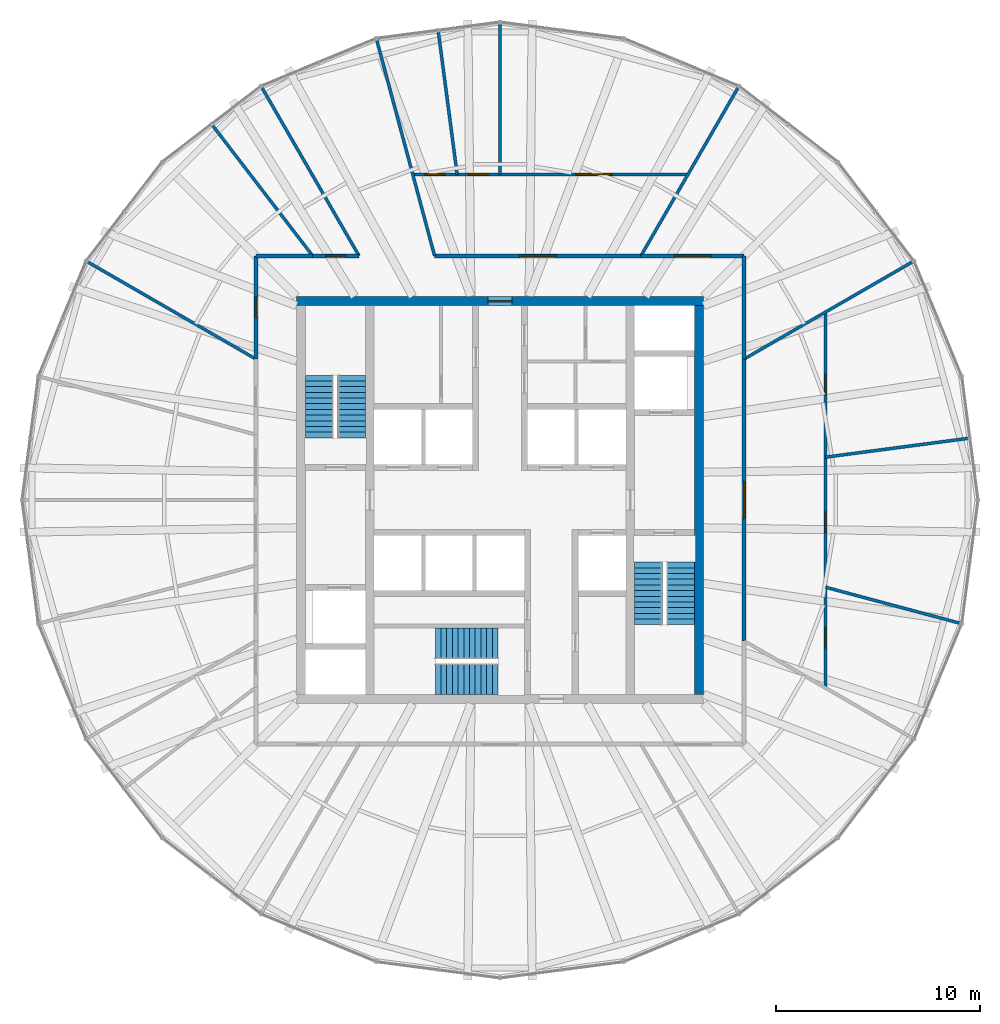
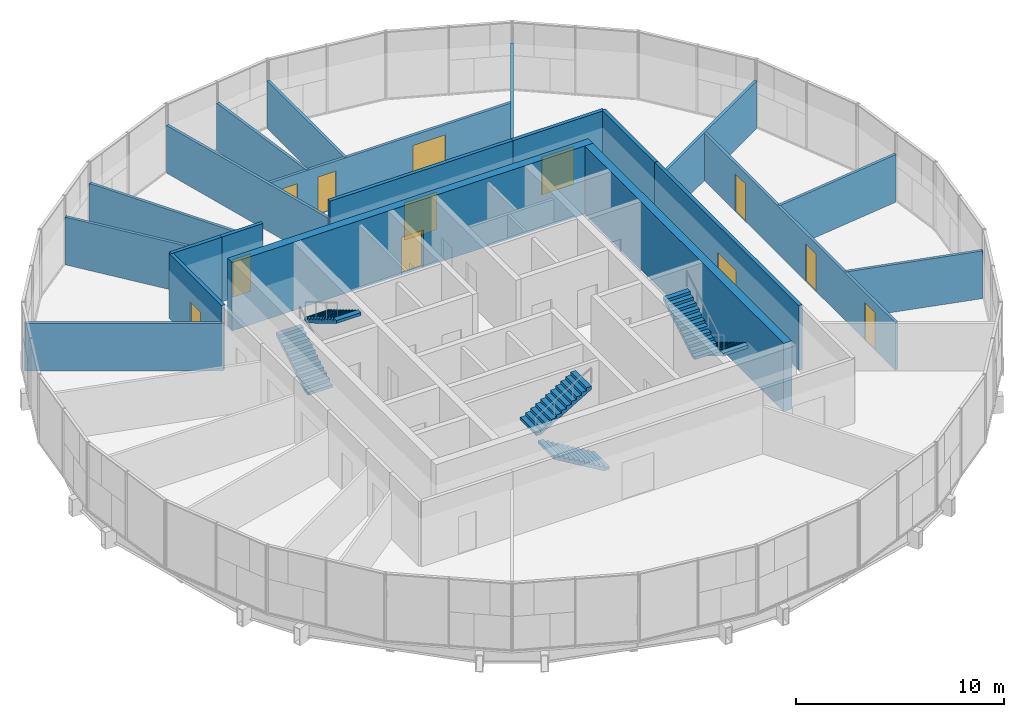
# One storey, part 12 of 13: 21 walls, 12 doors, 6 stair flights, 12 openings, 3 elements without a shape of their own.
"""IFC4 building model written with IfcOpenShell, lengths in metres."""

from ifc_helpers import new_model, si_unit, direction, frame, frame_2d, origin, place, context, subcontext, project, spatial, polyline, rectangle, outline, extrude, material, layer, layer_set, type_object, element, fill, aggregate, save


model = new_model("IFC4")

# Units and contexts
model_context = context("Model", 3, precision=1e-05, world=origin(), true_north=direction((0.0, 1.0)))
body_context = subcontext(model_context, "Body", "Model", "MODEL_VIEW")
ifc_project = project(units=[si_unit("LENGTHUNIT", "METRE"), si_unit("AREAUNIT", "SQUARE_METRE"), si_unit("VOLUMEUNIT", "CUBIC_METRE"), si_unit("PLANEANGLEUNIT", "RADIAN"), si_unit("MASSUNIT", "GRAM", prefix="KILO")], contexts=[model_context])

# Site, building, storey
site_placement = place(None, origin())
site = spatial("IfcSite", under=ifc_project, at=site_placement, CompositionType="ELEMENT")
building_placement = place(site_placement, origin())
building = spatial("IfcBuilding", under=site, at=building_placement, Name="Golbaran Civic Tower", CompositionType="ELEMENT")
storey_placement = place(building_placement, frame((0.0, 0.0, 211.0)))
storey = spatial("IfcBuildingStorey", under=building, at=storey_placement, Name="L51", CompositionType="ELEMENT", Elevation=211.0)

# Wall, opening, door
ifc_material_1 = material(Name="Concrete C50/60", Category="concrete")
ifc_layer_1 = layer(ifc_material_1, 0.449951171875, Name="Concrete C50/60")
ifc_layer_set_1 = layer_set([ifc_layer_1], Name="Concrete C50/60")
wall_type_1 = type_object("IfcWallType", Name="CORE WALL CONCRETE 450", PredefinedType="SOLIDWALL", material=ifc_layer_set_1)
wall_1_placement = place(storey_placement, frame((-10.0, 9.77490234375, 0.0), z_axis=(0.0, 0.0, 1.0), x_axis=(1.0, 0.0, 0.0)))
wall_1 = element("IfcWall", 1, at=wall_1_placement, inside=storey, type_object=wall_type_1, Name="Core wall CN L51", PredefinedType="SOLIDWALL", context=body_context, shape_type="SweptSolid", body=[
    extrude(rectangle(XDim=20.0, YDim=0.449951171875, at=frame_2d((10.0, 0.0))), origin(), (0.0, 0.0, 1.0), 4.0),
])
opening_1_placement = place(wall_1_placement, frame((9.39990234375, 0.0, 0.0)))
opening_1 = element("IfcOpeningElement", 2, at=opening_1_placement, cuts=wall_1, Name="Opening L51.CN", PredefinedType="OPENING", context=body_context, shape_type="SweptSolid", body=[
    extrude(rectangle(XDim=1.199951171875, YDim=2.199951171875, at=frame_2d((0.60009765625, 1.10009765625))), frame((0.0, 0.23486328125, 0.0), z_axis=(0.0, -1.0, 0.0), x_axis=(1.0, 0.0, 0.0)), (0.0, 0.0, 1.0), 0.469970703125),
])
ifc_material_2 = material(Name="Timber door set in steel frame", Category="steel")
door_type_1 = type_object("IfcDoorType", Name="CORE DOOR 1200x2200", OperationType="DOUBLE_DOOR_SINGLE_SWING", PredefinedType="DOOR", material=ifc_material_2)
door_1_placement = place(opening_1_placement, origin())
door_1 = element("IfcDoor", 3, at=door_1_placement, inside=storey, type_object=door_type_1, Name="Core door north", OperationType="DOUBLE_DOOR_SINGLE_SWING", OverallHeight=2.199951171875, OverallWidth=1.199951171875, PredefinedType="DOOR", context=body_context, shape_type="SweptSolid", body=[
    extrude(rectangle(XDim=1.199951171875, YDim=2.199951171875, at=frame_2d((0.60009765625, 1.10009765625))), frame((0.0, 0.02490234375, 0.0), z_axis=(0.0, -1.0, 0.0), x_axis=(1.0, 0.0, 0.0)), (0.0, 0.0, 1.0), 0.050048828125),
])
fill(opening_1, door_1)

# Wall
wall_2_placement = place(storey_placement, frame((9.77490234375, -9.550048828125, 0.0), z_axis=(0.0, 0.0, 1.0), x_axis=(0.0, 1.0, 0.0)))
element("IfcWall", 4, at=wall_2_placement, inside=storey, type_object=wall_type_1, Name="Core wall CE L51", PredefinedType="SOLIDWALL", context=body_context, shape_type="SweptSolid", body=[
    extrude(rectangle(XDim=19.10009765625, YDim=0.449951171875, at=frame_2d((9.550048828125, 0.0))), origin(), (0.0, 0.0, 1.0), 4.0),
])

# Wall, opening, door
ifc_material_3 = material(Name="Gypsum board on steel studs, fire-rated", Category="steel")
ifc_layer_2 = layer(ifc_material_3, 0.199951171875, Name="Gypsum board on steel studs, fire-rated")
ifc_layer_set_2 = layer_set([ifc_layer_2], Name="Gypsum board on steel studs, fire-rated")
wall_type_2 = type_object("IfcWallType", Name="CORRIDOR WALL 200", PredefinedType="PARTITIONING", material=ifc_layer_set_2)
wall_3_placement = place(storey_placement, frame((12.0, -6.92822265625, 0.0), z_axis=(0.0, 0.0, 1.0), x_axis=(0.0, 1.0, 0.0)))
wall_3 = element("IfcWall", 5, at=wall_3_placement, inside=storey, type_object=wall_type_2, Name="Corridor wall L51", PredefinedType="PARTITIONING", context=body_context, shape_type="SweptSolid", body=[
    extrude(rectangle(XDim=13.8564453125, YDim=0.199951171875, at=frame_2d((6.92822265625, 0.0))), origin(), (0.0, 0.0, 1.0), 3.800048828125),
])
opening_2_placement = place(wall_3_placement, frame((6.0283203125, 0.0, 0.0)))
opening_2 = element("IfcOpeningElement", 6, at=opening_2_placement, cuts=wall_3, Name="Opening L51.08", PredefinedType="OPENING", context=body_context, shape_type="SweptSolid", body=[
    extrude(rectangle(XDim=1.800048828125, YDim=2.199951171875, at=frame_2d((0.89990234375, 1.10009765625))), frame((0.0, 0.10986328125, 0.0), z_axis=(0.0, -1.0, 0.0), x_axis=(1.0, 0.0, 0.0)), (0.0, 0.0, 1.0), 0.219970703125),
])
door_type_2 = type_object("IfcDoorType", Name="OFFICE DOUBLE DOOR 1800x2200", OperationType="DOUBLE_DOOR_SINGLE_SWING", PredefinedType="DOOR", material=ifc_material_2)
door_2_placement = place(opening_2_placement, origin())
door_2 = element("IfcDoor", 7, at=door_2_placement, inside=storey, type_object=door_type_2, Name="Open Office door L51", OperationType="DOUBLE_DOOR_SINGLE_SWING", OverallHeight=2.199951171875, OverallWidth=1.800048828125, PredefinedType="DOOR", context=body_context, shape_type="SweptSolid", body=[
    extrude(rectangle(XDim=1.800048828125, YDim=2.199951171875, at=frame_2d((0.89990234375, 1.10009765625))), frame((0.0, 0.02490234375, 0.0), z_axis=(0.0, -1.0, 0.0), x_axis=(1.0, 0.0, 0.0)), (0.0, 0.0, 1.0), 0.050048828125),
])
fill(opening_2, door_2)

# Wall
wall_4_placement = place(storey_placement, frame((12.0, 6.92822265625, 0.0), z_axis=(0.0, 0.0, 1.0), x_axis=(0.0, 1.0, 0.0)))
element("IfcWall", 8, at=wall_4_placement, inside=storey, type_object=wall_type_2, Name="Corridor wall L51", PredefinedType="PARTITIONING", context=body_context, shape_type="SweptSolid", body=[
    extrude(rectangle(XDim=5.07177734375, YDim=0.199951171875, at=frame_2d((2.535888671875, 0.0))), origin(), (0.0, 0.0, 1.0), 3.800048828125),
])

# Wall, opening, door
wall_5_placement = place(storey_placement, frame((12.0, 12.0, 0.0), z_axis=(0.0, 0.0, 1.0), x_axis=(-1.0, 0.0, 0.0)))
wall_5 = element("IfcWall", 9, at=wall_5_placement, inside=storey, type_object=wall_type_2, Name="Corridor wall L51", PredefinedType="PARTITIONING", context=body_context, shape_type="SweptSolid", body=[
    extrude(rectangle(XDim=5.07177734375, YDim=0.199951171875, at=frame_2d((2.535888671875, 0.0))), origin(), (0.0, 0.0, 1.0), 3.800048828125),
])
opening_3_placement = place(wall_5_placement, frame((1.635986328125, 0.0, 0.0)))
opening_3 = element("IfcOpeningElement", 10, at=opening_3_placement, cuts=wall_5, Name="Opening L51.09", PredefinedType="OPENING", context=body_context, shape_type="SweptSolid", body=[
    extrude(rectangle(XDim=1.800048828125, YDim=2.199951171875, at=frame_2d((0.89990234375, 1.10009765625))), frame((0.0, 0.10986328125, 0.0), z_axis=(0.0, -1.0, 0.0), x_axis=(1.0, 0.0, 0.0)), (0.0, 0.0, 1.0), 0.219970703125),
])
door_3_placement = place(opening_3_placement, origin())
door_3 = element("IfcDoor", 11, at=door_3_placement, inside=storey, type_object=door_type_2, Name="Open Office door L51", OperationType="DOUBLE_DOOR_SINGLE_SWING", OverallHeight=2.199951171875, OverallWidth=1.800048828125, PredefinedType="DOOR", context=body_context, shape_type="SweptSolid", body=[
    extrude(rectangle(XDim=1.800048828125, YDim=2.199951171875, at=frame_2d((0.89990234375, 1.10009765625))), frame((0.0, 0.02490234375, 0.0), z_axis=(0.0, -1.0, 0.0), x_axis=(1.0, 0.0, 0.0)), (0.0, 0.0, 1.0), 0.050048828125),
])
fill(opening_3, door_3)

wall_6_placement = place(storey_placement, frame((6.92822265625, 12.0, 0.0), z_axis=(0.0, 0.0, 1.0), x_axis=(-1.0, 0.0, 0.0)))
wall_6 = element("IfcWall", 12, at=wall_6_placement, inside=storey, type_object=wall_type_2, Name="Corridor wall L51", PredefinedType="PARTITIONING", context=body_context, shape_type="SweptSolid", body=[
    extrude(rectangle(XDim=10.1435546875, YDim=0.199951171875, at=frame_2d((5.07177734375, 0.0))), origin(), (0.0, 0.0, 1.0), 3.800048828125),
])
opening_4_placement = place(wall_6_placement, frame((4.171875, 0.0, 0.0)))
opening_4 = element("IfcOpeningElement", 13, at=opening_4_placement, cuts=wall_6, Name="Opening L51.10", PredefinedType="OPENING", context=body_context, shape_type="SweptSolid", body=[
    extrude(rectangle(XDim=1.800048828125, YDim=2.199951171875, at=frame_2d((0.89990234375, 1.10009765625))), frame((0.0, 0.10986328125, 0.0), z_axis=(0.0, -1.0, 0.0), x_axis=(1.0, 0.0, 0.0)), (0.0, 0.0, 1.0), 0.219970703125),
])
door_4_placement = place(opening_4_placement, origin())
door_4 = element("IfcDoor", 14, at=door_4_placement, inside=storey, type_object=door_type_2, Name="Secretariat door L51", OperationType="DOUBLE_DOOR_SINGLE_SWING", OverallHeight=2.199951171875, OverallWidth=1.800048828125, PredefinedType="DOOR", context=body_context, shape_type="SweptSolid", body=[
    extrude(rectangle(XDim=1.800048828125, YDim=2.199951171875, at=frame_2d((0.89990234375, 1.10009765625))), frame((0.0, 0.02490234375, 0.0), z_axis=(0.0, -1.0, 0.0), x_axis=(1.0, 0.0, 0.0)), (0.0, 0.0, 1.0), 0.050048828125),
])
fill(opening_4, door_4)

wall_7_placement = place(storey_placement, frame((-6.92822265625, 12.0, 0.0), z_axis=(0.0, 0.0, 1.0), x_axis=(-1.0, 0.0, 0.0)))
wall_7 = element("IfcWall", 15, at=wall_7_placement, inside=storey, type_object=wall_type_2, Name="Corridor wall L51", PredefinedType="PARTITIONING", context=body_context, shape_type="SweptSolid", body=[
    extrude(rectangle(XDim=2.27978515625, YDim=0.199951171875, at=frame_2d((1.139892578125, 0.0))), origin(), (0.0, 0.0, 1.0), 3.800048828125),
])
opening_5_placement = place(wall_7_placement, frame((0.639892578125, 0.0, 0.0)))
opening_5 = element("IfcOpeningElement", 16, at=opening_5_placement, cuts=wall_7, Name="Opening L51.11", PredefinedType="OPENING", context=body_context, shape_type="SweptSolid", body=[
    extrude(rectangle(XDim=1.0, YDim=2.199951171875, at=frame_2d((0.5, 1.10009765625))), frame((0.0, 0.10986328125, 0.0), z_axis=(0.0, -1.0, 0.0), x_axis=(1.0, 0.0, 0.0)), (0.0, 0.0, 1.0), 0.219970703125),
])
door_type_3 = type_object("IfcDoorType", Name="OFFICE DOOR 1000x2200", OperationType="SINGLE_SWING_LEFT", PredefinedType="DOOR", material=ifc_material_2)
door_5_placement = place(opening_5_placement, origin())
door_5 = element("IfcDoor", 17, at=door_5_placement, inside=storey, type_object=door_type_3, Name="Print and Copy Room door L51", OperationType="SINGLE_SWING_RIGHT", OverallHeight=2.199951171875, OverallWidth=1.0, PredefinedType="DOOR", context=body_context, shape_type="SweptSolid", body=[
    extrude(rectangle(XDim=1.0, YDim=2.199951171875, at=frame_2d((0.5, 1.10009765625))), frame((0.0, 0.02490234375, 0.0), z_axis=(0.0, -1.0, 0.0), x_axis=(1.0, 0.0, 0.0)), (0.0, 0.0, 1.0), 0.050048828125),
])
fill(opening_5, door_5)

# Wall
wall_8_placement = place(storey_placement, frame((-9.2080078125, 12.0, 0.0), z_axis=(0.0, 0.0, 1.0), x_axis=(-1.0, 0.0, 0.0)))
element("IfcWall", 18, at=wall_8_placement, inside=storey, type_object=wall_type_2, Name="Corridor wall L51", PredefinedType="PARTITIONING", context=body_context, shape_type="SweptSolid", body=[
    extrude(rectangle(XDim=2.7919921875, YDim=0.199951171875, at=frame_2d((1.39599609375, 0.0))), origin(), (0.0, 0.0, 1.0), 3.800048828125),
])

# Wall, opening, door
wall_9_placement = place(storey_placement, frame((-12.0, 12.0, 0.0), z_axis=(0.0, 0.0, 1.0), x_axis=(0.0, -1.0, 0.0)))
wall_9 = element("IfcWall", 19, at=wall_9_placement, inside=storey, type_object=wall_type_2, Name="Corridor wall L51", PredefinedType="PARTITIONING", context=body_context, shape_type="SweptSolid", body=[
    extrude(rectangle(XDim=5.07177734375, YDim=0.199951171875, at=frame_2d((2.535888671875, 0.0))), origin(), (0.0, 0.0, 1.0), 3.800048828125),
])
opening_6_placement = place(wall_9_placement, frame((2.035888671875, 0.0, 0.0)))
opening_6 = element("IfcOpeningElement", 20, at=opening_6_placement, cuts=wall_9, Name="Opening L51.12", PredefinedType="OPENING", context=body_context, shape_type="SweptSolid", body=[
    extrude(rectangle(XDim=1.0, YDim=2.199951171875, at=frame_2d((0.5, 1.10009765625))), frame((0.0, 0.10986328125, 0.0), z_axis=(0.0, -1.0, 0.0), x_axis=(1.0, 0.0, 0.0)), (0.0, 0.0, 1.0), 0.219970703125),
])
door_6_placement = place(opening_6_placement, origin())
door_6 = element("IfcDoor", 21, at=door_6_placement, inside=storey, type_object=door_type_3, Name="Quiet Room door L51", OperationType="SINGLE_SWING_RIGHT", OverallHeight=2.199951171875, OverallWidth=1.0, PredefinedType="DOOR", context=body_context, shape_type="SweptSolid", body=[
    extrude(rectangle(XDim=1.0, YDim=2.199951171875, at=frame_2d((0.5, 1.10009765625))), frame((0.0, 0.02490234375, 0.0), z_axis=(0.0, -1.0, 0.0), x_axis=(1.0, 0.0, 0.0)), (0.0, 0.0, 1.0), 0.050048828125),
])
fill(opening_6, door_6)

# Walls
ifc_material_4 = material(Name="Gypsum board on steel studs", Category="steel")
ifc_layer_3 = layer(ifc_material_4, 0.14990234375, Name="Gypsum board on steel studs")
ifc_layer_set_3 = layer_set([ifc_layer_3], Name="Gypsum board on steel studs")
wall_type_3 = type_object("IfcWallType", Name="OFFICE PARTITION 150", PredefinedType="PARTITIONING", material=ifc_layer_set_3)
for number, where, z_axis, x_axis, name in (
    (22, (12.0, 6.92822265625, 0.0), (0.0, 0.0, 1.0), (0.866023658759, 0.50000302246, 0.0), "Partition 30 L51"),
    (23, (6.92822265625, 12.0, 0.0), (0.0, 0.0, 1.0), (0.50000302246, 0.866023658759, 0.0), "Partition 60 L51"),
):
    element("IfcWall", number, at=place(storey_placement, frame(where, z_axis=z_axis, x_axis=x_axis)), inside=storey, type_object=wall_type_3, Name=name, PredefinedType="PARTITIONING", context=body_context, shape_type="SweptSolid", body=[
        extrude(rectangle(XDim=9.541015625, YDim=0.14990234375, at=frame_2d((4.7705078125, 0.0))), origin(), (0.0, 0.0, 1.0), 2.7900390625),
    ])
wall_10_placement = place(storey_placement, frame((-3.21533203125, 12.0, 0.0), z_axis=(0.0, 0.0, 1.0), x_axis=(-0.258822822076, 0.965924814244, 0.0)))
element("IfcWall", 24, at=wall_10_placement, inside=storey, type_object=wall_type_3, Name="Partition 105 L51", PredefinedType="PARTITIONING", context=body_context, shape_type="SweptSolid", body=[
    extrude(rectangle(XDim=10.97412109375, YDim=0.14990234375, at=frame_2d((5.487060546875, 0.0))), origin(), (0.0, 0.0, 1.0), 2.7900390625),
])
wall_11_placement = place(storey_placement, frame((-6.92822265625, 12.0, 0.0), z_axis=(0.0, 0.0, 1.0), x_axis=(-0.50000302246, 0.866023658759, 0.0)))
element("IfcWall", 25, at=wall_11_placement, inside=storey, type_object=wall_type_3, Name="Partition 120 L51", PredefinedType="PARTITIONING", context=body_context, shape_type="SweptSolid", body=[
    extrude(rectangle(XDim=9.541015625, YDim=0.14990234375, at=frame_2d((4.7705078125, 0.0))), origin(), (0.0, 0.0, 1.0), 2.7900390625),
])
wall_12_placement = place(storey_placement, frame((-9.2080078125, 12.0, 0.0), z_axis=(0.0, 0.0, 1.0), x_axis=(-0.608757248883, 0.793356547797, 0.0)))
element("IfcWall", 26, at=wall_12_placement, inside=storey, type_object=wall_type_3, Name="Partition 127.5 L51", PredefinedType="PARTITIONING", context=body_context, shape_type="SweptSolid", body=[
    extrude(rectangle(XDim=8.071533203125, YDim=0.14990234375, at=frame_2d((4.03564453125, 0.0))), origin(), (0.0, 0.0, 1.0), 2.7900390625),
])
wall_13_placement = place(storey_placement, frame((-12.0, 6.92822265625, 0.0), z_axis=(0.0, 0.0, 1.0), x_axis=(-0.866023658759, 0.50000302246, 0.0)))
element("IfcWall", 27, at=wall_13_placement, inside=storey, type_object=wall_type_3, Name="Partition 150 L51", PredefinedType="PARTITIONING", context=body_context, shape_type="SweptSolid", body=[
    extrude(rectangle(XDim=9.541015625, YDim=0.14990234375, at=frame_2d((4.7705078125, 0.0))), origin(), (0.0, 0.0, 1.0), 2.7900390625),
])

# Wall, openings, doors
wall_14_placement = place(storey_placement, frame((16.0, -9.237548828125, 0.0), z_axis=(0.0, 0.0, 1.0), x_axis=(0.0, 1.0, 0.0)))
wall_14 = element("IfcWall", 28, at=wall_14_placement, inside=storey, type_object=wall_type_3, Name="Suite partition L51", PredefinedType="PARTITIONING", context=body_context, shape_type="SweptSolid", body=[
    extrude(rectangle(XDim=18.47509765625, YDim=0.14990234375, at=frame_2d((9.237548828125, 0.0))), origin(), (0.0, 0.0, 1.0), 2.7900390625),
])
opening_7_placement = place(wall_14_placement, frame((1.97509765625, 0.0, 0.0)))
opening_7 = element("IfcOpeningElement", 29, at=opening_7_placement, cuts=wall_14, Name="Opening L51.01", PredefinedType="OPENING", context=body_context, shape_type="SweptSolid", body=[
    extrude(rectangle(XDim=1.0, YDim=2.199951171875, at=frame_2d((0.5, 1.10009765625))), frame((0.0, 0.0849609375, 0.0), z_axis=(0.0, -1.0, 0.0), x_axis=(1.0, 0.0, 0.0)), (0.0, 0.0, 1.0), 0.169921875),
])
opening_8_placement = place(wall_14_placement, frame((7.647216796875, 0.0, 0.0)))
opening_8 = element("IfcOpeningElement", 30, at=opening_8_placement, cuts=wall_14, Name="Opening L51.02", PredefinedType="OPENING", context=body_context, shape_type="SweptSolid", body=[
    extrude(rectangle(XDim=1.0, YDim=2.199951171875, at=frame_2d((0.5, 1.10009765625))), frame((0.0, 0.0849609375, 0.0), z_axis=(0.0, -1.0, 0.0), x_axis=(1.0, 0.0, 0.0)), (0.0, 0.0, 1.0), 0.169921875),
])
opening_9_placement = place(wall_14_placement, frame((14.40966796875, 0.0, 0.0)))
opening_9 = element("IfcOpeningElement", 31, at=opening_9_placement, cuts=wall_14, Name="Opening L51.03", PredefinedType="OPENING", context=body_context, shape_type="SweptSolid", body=[
    extrude(rectangle(XDim=1.0, YDim=2.199951171875, at=frame_2d((0.5, 1.10009765625))), frame((0.0, 0.0849609375, 0.0), z_axis=(0.0, -1.0, 0.0), x_axis=(1.0, 0.0, 0.0)), (0.0, 0.0, 1.0), 0.169921875),
])
door_7_placement = place(opening_7_placement, origin())
door_7 = element("IfcDoor", 32, at=door_7_placement, inside=storey, type_object=door_type_3, Name="Server Room door L51", OperationType="SINGLE_SWING_LEFT", OverallHeight=2.199951171875, OverallWidth=1.0, PredefinedType="DOOR", context=body_context, shape_type="SweptSolid", body=[
    extrude(rectangle(XDim=1.0, YDim=2.199951171875, at=frame_2d((0.5, 1.10009765625))), frame((0.0, 0.02490234375, 0.0), z_axis=(0.0, -1.0, 0.0), x_axis=(1.0, 0.0, 0.0)), (0.0, 0.0, 1.0), 0.050048828125),
])
fill(opening_7, door_7)
door_8_placement = place(opening_8_placement, origin())
door_8 = element("IfcDoor", 33, at=door_8_placement, inside=storey, type_object=door_type_3, Name="Project Room door L51", OperationType="SINGLE_SWING_LEFT", OverallHeight=2.199951171875, OverallWidth=1.0, PredefinedType="DOOR", context=body_context, shape_type="SweptSolid", body=[
    extrude(rectangle(XDim=1.0, YDim=2.199951171875, at=frame_2d((0.5, 1.10009765625))), frame((0.0, 0.02490234375, 0.0), z_axis=(0.0, -1.0, 0.0), x_axis=(1.0, 0.0, 0.0)), (0.0, 0.0, 1.0), 0.050048828125),
])
fill(opening_8, door_8)
door_9_placement = place(opening_9_placement, origin())
door_9 = element("IfcDoor", 34, at=door_9_placement, inside=storey, type_object=door_type_3, Name="Office door L51", OperationType="SINGLE_SWING_RIGHT", OverallHeight=2.199951171875, OverallWidth=1.0, PredefinedType="DOOR", context=body_context, shape_type="SweptSolid", body=[
    extrude(rectangle(XDim=1.0, YDim=2.199951171875, at=frame_2d((0.5, 1.10009765625))), frame((0.0, 0.02490234375, 0.0), z_axis=(0.0, -1.0, 0.0), x_axis=(1.0, 0.0, 0.0)), (0.0, 0.0, 1.0), 0.050048828125),
])
fill(opening_9, door_9)

# Walls
wall_15_placement = place(storey_placement, frame((16.0, -4.287109375, 0.0), z_axis=(0.0, 0.0, 1.0), x_axis=(0.96592349012, -0.258827763647, 0.0)))
element("IfcWall", 35, at=wall_15_placement, inside=storey, type_object=wall_type_3, Name="Partition 345 L51", PredefinedType="PARTITIONING", context=body_context, shape_type="SweptSolid", body=[
    extrude(rectangle(XDim=6.8330078125, YDim=0.14990234375, at=frame_2d((3.41650390625, 0.0))), origin(), (0.0, 0.0, 1.0), 2.7900390625),
])
wall_16_placement = place(storey_placement, frame((16.0, 2.1064453125, 0.0), z_axis=(0.0, 0.0, 1.0), x_axis=(0.991444639803, 0.130527875205, 0.0)))
element("IfcWall", 36, at=wall_16_placement, inside=storey, type_object=wall_type_3, Name="Partition 7.5 L51", PredefinedType="PARTITIONING", context=body_context, shape_type="SweptSolid", body=[
    extrude(rectangle(XDim=7.058837890625, YDim=0.14990234375, at=frame_2d((3.529296875, 0.0))), origin(), (0.0, 0.0, 1.0), 2.7900390625),
])

# Wall, openings, doors
wall_17_placement = place(storey_placement, frame((9.237548828125, 16.0, 0.0), z_axis=(0.0, 0.0, 1.0), x_axis=(-1.0, 0.0, 0.0)))
wall_17 = element("IfcWall", 37, at=wall_17_placement, inside=storey, type_object=wall_type_3, Name="Suite partition L51", PredefinedType="PARTITIONING", context=body_context, shape_type="SweptSolid", body=[
    extrude(rectangle(XDim=13.524658203125, YDim=0.14990234375, at=frame_2d((6.76220703125, 0.0))), origin(), (0.0, 0.0, 1.0), 2.7900390625),
])
opening_10_placement = place(wall_17_placement, frame((3.71875, 0.0, 0.0)))
opening_10 = element("IfcOpeningElement", 38, at=opening_10_placement, cuts=wall_17, Name="Opening L51.04", PredefinedType="OPENING", context=body_context, shape_type="SweptSolid", body=[
    extrude(rectangle(XDim=1.800048828125, YDim=2.199951171875, at=frame_2d((0.89990234375, 1.10009765625))), frame((0.0, 0.0849609375, 0.0), z_axis=(0.0, -1.0, 0.0), x_axis=(1.0, 0.0, 0.0)), (0.0, 0.0, 1.0), 0.169921875),
])
opening_11_placement = place(wall_17_placement, frame((9.790771484375, 0.0, 0.0)))
opening_11 = element("IfcOpeningElement", 39, at=opening_11_placement, cuts=wall_17, Name="Opening L51.05", PredefinedType="OPENING", context=body_context, shape_type="SweptSolid", body=[
    extrude(rectangle(XDim=1.0, YDim=2.199951171875, at=frame_2d((0.5, 1.10009765625))), frame((0.0, 0.0849609375, 0.0), z_axis=(0.0, -1.0, 0.0), x_axis=(1.0, 0.0, 0.0)), (0.0, 0.0, 1.0), 0.169921875),
])
opening_12_placement = place(wall_17_placement, frame((11.934326171875, 0.0, 0.0)))
opening_12 = element("IfcOpeningElement", 40, at=opening_12_placement, cuts=wall_17, Name="Opening L51.06", PredefinedType="OPENING", context=body_context, shape_type="SweptSolid", body=[
    extrude(rectangle(XDim=1.0, YDim=2.199951171875, at=frame_2d((0.5, 1.10009765625))), frame((0.0, 0.0849609375, 0.0), z_axis=(0.0, -1.0, 0.0), x_axis=(1.0, 0.0, 0.0)), (0.0, 0.0, 1.0), 0.169921875),
])
door_10_placement = place(opening_11_placement, origin())
door_10 = element("IfcDoor", 41, at=door_10_placement, inside=storey, type_object=door_type_3, Name="Office door L51", OperationType="SINGLE_SWING_RIGHT", OverallHeight=2.199951171875, OverallWidth=1.0, PredefinedType="DOOR", context=body_context, shape_type="SweptSolid", body=[
    extrude(rectangle(XDim=1.0, YDim=2.199951171875, at=frame_2d((0.5, 1.10009765625))), frame((0.0, 0.02490234375, 0.0), z_axis=(0.0, -1.0, 0.0), x_axis=(1.0, 0.0, 0.0)), (0.0, 0.0, 1.0), 0.050048828125),
])
fill(opening_11, door_10)
door_11_placement = place(opening_12_placement, origin())
door_11 = element("IfcDoor", 42, at=door_11_placement, inside=storey, type_object=door_type_3, Name="Director's Office door L51", OperationType="SINGLE_SWING_RIGHT", OverallHeight=2.199951171875, OverallWidth=1.0, PredefinedType="DOOR", context=body_context, shape_type="SweptSolid", body=[
    extrude(rectangle(XDim=1.0, YDim=2.199951171875, at=frame_2d((0.5, 1.10009765625))), frame((0.0, 0.02490234375, 0.0), z_axis=(0.0, -1.0, 0.0), x_axis=(1.0, 0.0, 0.0)), (0.0, 0.0, 1.0), 0.050048828125),
])
fill(opening_12, door_11)
door_12_placement = place(opening_10_placement, origin())
door_12 = element("IfcDoor", 43, at=door_12_placement, inside=storey, type_object=door_type_2, Name="Director's Office door L51", OperationType="DOUBLE_DOOR_SINGLE_SWING", OverallHeight=2.199951171875, OverallWidth=1.800048828125, PredefinedType="DOOR", context=body_context, shape_type="SweptSolid", body=[
    extrude(rectangle(XDim=1.800048828125, YDim=2.199951171875, at=frame_2d((0.89990234375, 1.10009765625))), frame((0.0, 0.02490234375, 0.0), z_axis=(0.0, -1.0, 0.0), x_axis=(1.0, 0.0, 0.0)), (0.0, 0.0, 1.0), 0.050048828125),
])
fill(opening_10, door_12)

# Walls
wall_18_placement = place(storey_placement, frame((0.0, 16.0, 0.0), z_axis=(0.0, 0.0, 1.0), x_axis=(0.0, 1.0, 0.0)))
element("IfcWall", 44, at=wall_18_placement, inside=storey, type_object=wall_type_3, Name="Partition 90 L51", PredefinedType="PARTITIONING", context=body_context, shape_type="SweptSolid", body=[
    extrude(rectangle(XDim=7.397216796875, YDim=0.14990234375, at=frame_2d((3.69873046875, 0.0))), origin(), (0.0, 0.0, 1.0), 2.7900390625),
])
wall_19_placement = place(storey_placement, frame((-2.1064453125, 16.0, 0.0), z_axis=(0.0, 0.0, 1.0), x_axis=(-0.130527875205, 0.991444639803, 0.0)))
element("IfcWall", 45, at=wall_19_placement, inside=storey, type_object=wall_type_3, Name="Partition 97.5 L51", PredefinedType="PARTITIONING", context=body_context, shape_type="SweptSolid", body=[
    extrude(rectangle(XDim=7.058837890625, YDim=0.14990234375, at=frame_2d((3.529296875, 0.0))), origin(), (0.0, 0.0, 1.0), 2.7900390625),
])

# Stair, stair flights
ifc_material_5 = material(Name="Concrete C35/45", Category="concrete")
stair_type_1 = type_object("IfcStairType", Name="EXIT STAIR 2950 x 7800, 4000 RISE", PredefinedType="HALF_TURN_STAIR", material=ifc_material_5)
stair_1_placement = place(storey_placement, origin())
stair_1 = element("IfcStair", 46, at=stair_1_placement, inside=storey, type_object=stair_type_1, Name="Stair S1 L51", PredefinedType="HALF_TURN_STAIR")
stair_flight_type_1 = type_object("IfcStairFlightType", Name="STAIR FLIGHT 1375 WIDE", PredefinedType="STRAIGHT", material=ifc_material_5)
stair_flight_1_placement = place(storey_placement, frame((-8.862548828125, 3.050048828125, 0.0), z_axis=(0.0, 0.0, 1.0), x_axis=(0.0, 1.0, 0.0)))
stair_flight_1 = element("IfcStairFlight", 47, at=stair_flight_1_placement, type_object=stair_flight_type_1, Name="ST29578-40 flight 1", NumberOfRisers=12, NumberOfTreads=11, PredefinedType="STRAIGHT", RiserHeight=0.166666667, TreadLength=0.28, context=body_context, shape_type="SweptSolid", body=[
    extrude(outline(polyline([(0.0, 0.0), (0.0, 0.166748046875), (0.280029296875, 0.166748046875), (0.280029296875, 0.333251953125), (0.56005859375, 0.333251953125), (0.56005859375, 0.5), (0.840087890625, 0.5), (0.840087890625, 0.666748046875), (1.1201171875, 0.666748046875), (1.1201171875, 0.833251953125), (1.39990234375, 0.833251953125), (1.39990234375, 1.0), (1.679931640625, 1.0), (1.679931640625, 1.166748046875), (1.9599609375, 1.166748046875), (1.9599609375, 1.333251953125), (2.239990234375, 1.333251953125), (2.239990234375, 1.5), (2.52001953125, 1.5), (2.52001953125, 1.666748046875), (2.800048828125, 1.666748046875), (2.800048828125, 1.833251953125), (3.080078125, 1.833251953125), (3.080078125, 2.0), (3.080078125, 1.658935546875), (0.29296875, 0.0), (0.0, 0.0)])), frame((0.0, 0.6875, 0.0), z_axis=(0.0, -1.0, 0.0), x_axis=(1.0, 0.0, 0.0)), (0.0, 0.0, 1.0), 1.375),
])
stair_flight_2_placement = place(storey_placement, frame((-7.28759765625, 6.1298828125, 2.0), z_axis=(0.0, 0.0, 1.0), x_axis=(0.0, -1.0, 0.0)))
stair_flight_2 = element("IfcStairFlight", 48, at=stair_flight_2_placement, type_object=stair_flight_type_1, Name="ST29578-40 flight 2", NumberOfRisers=12, NumberOfTreads=11, PredefinedType="STRAIGHT", RiserHeight=0.166666667, TreadLength=0.28, context=body_context, shape_type="SweptSolid", body=[
    extrude(outline(polyline([(0.0, 0.0), (0.0, 0.166748046875), (0.280029296875, 0.166748046875), (0.280029296875, 0.333251953125), (0.56005859375, 0.333251953125), (0.56005859375, 0.5), (0.840087890625, 0.5), (0.840087890625, 0.666748046875), (1.1201171875, 0.666748046875), (1.1201171875, 0.833251953125), (1.39990234375, 0.833251953125), (1.39990234375, 1.0), (1.679931640625, 1.0), (1.679931640625, 1.166748046875), (1.9599609375, 1.166748046875), (1.9599609375, 1.333251953125), (2.239990234375, 1.333251953125), (2.239990234375, 1.5), (2.52001953125, 1.5), (2.52001953125, 1.666748046875), (2.800048828125, 1.666748046875), (2.800048828125, 1.833251953125), (3.080078125, 1.833251953125), (3.080078125, 2.0), (3.080078125, 1.658935546875), (0.29296875, 0.0), (0.0, 0.0)])), frame((0.0, 0.6875, 0.0), z_axis=(0.0, -1.0, 0.0), x_axis=(1.0, 0.0, 0.0)), (0.0, 0.0, 1.0), 1.375),
])
aggregate(stair_1, [stair_flight_1, stair_flight_2])

stair_2_placement = place(storey_placement, origin())
stair_2 = element("IfcStair", 49, at=stair_2_placement, inside=storey, type_object=stair_type_1, Name="Stair S2 L51", PredefinedType="HALF_TURN_STAIR")
stair_flight_3_placement = place(storey_placement, frame((8.862548828125, -3.050048828125, 0.0), z_axis=(0.0, 0.0, 1.0), x_axis=(0.0, -1.0, 0.0)))
stair_flight_3 = element("IfcStairFlight", 50, at=stair_flight_3_placement, type_object=stair_flight_type_1, Name="ST29578-40 flight 1", NumberOfRisers=12, NumberOfTreads=11, PredefinedType="STRAIGHT", RiserHeight=0.166666667, TreadLength=0.28, context=body_context, shape_type="SweptSolid", body=[
    extrude(outline(polyline([(0.0, 0.0), (0.0, 0.166748046875), (0.280029296875, 0.166748046875), (0.280029296875, 0.333251953125), (0.56005859375, 0.333251953125), (0.56005859375, 0.5), (0.840087890625, 0.5), (0.840087890625, 0.666748046875), (1.1201171875, 0.666748046875), (1.1201171875, 0.833251953125), (1.39990234375, 0.833251953125), (1.39990234375, 1.0), (1.679931640625, 1.0), (1.679931640625, 1.166748046875), (1.9599609375, 1.166748046875), (1.9599609375, 1.333251953125), (2.239990234375, 1.333251953125), (2.239990234375, 1.5), (2.52001953125, 1.5), (2.52001953125, 1.666748046875), (2.800048828125, 1.666748046875), (2.800048828125, 1.833251953125), (3.080078125, 1.833251953125), (3.080078125, 2.0), (3.080078125, 1.658935546875), (0.29296875, 0.0), (0.0, 0.0)])), frame((0.0, 0.6875, 0.0), z_axis=(0.0, -1.0, 0.0), x_axis=(1.0, 0.0, 0.0)), (0.0, 0.0, 1.0), 1.375),
])
stair_flight_4_placement = place(storey_placement, frame((7.28759765625, -6.1298828125, 2.0), z_axis=(0.0, 0.0, 1.0), x_axis=(0.0, 1.0, 0.0)))
stair_flight_4 = element("IfcStairFlight", 51, at=stair_flight_4_placement, type_object=stair_flight_type_1, Name="ST29578-40 flight 2", NumberOfRisers=12, NumberOfTreads=11, PredefinedType="STRAIGHT", RiserHeight=0.166666667, TreadLength=0.28, context=body_context, shape_type="SweptSolid", body=[
    extrude(outline(polyline([(0.0, 0.0), (0.0, 0.166748046875), (0.280029296875, 0.166748046875), (0.280029296875, 0.333251953125), (0.56005859375, 0.333251953125), (0.56005859375, 0.5), (0.840087890625, 0.5), (0.840087890625, 0.666748046875), (1.1201171875, 0.666748046875), (1.1201171875, 0.833251953125), (1.39990234375, 0.833251953125), (1.39990234375, 1.0), (1.679931640625, 1.0), (1.679931640625, 1.166748046875), (1.9599609375, 1.166748046875), (1.9599609375, 1.333251953125), (2.239990234375, 1.333251953125), (2.239990234375, 1.5), (2.52001953125, 1.5), (2.52001953125, 1.666748046875), (2.800048828125, 1.666748046875), (2.800048828125, 1.833251953125), (3.080078125, 1.833251953125), (3.080078125, 2.0), (3.080078125, 1.658935546875), (0.29296875, 0.0), (0.0, 0.0)])), frame((0.0, 0.6875, 0.0), z_axis=(0.0, -1.0, 0.0), x_axis=(1.0, 0.0, 0.0)), (0.0, 0.0, 1.0), 1.375),
])
aggregate(stair_2, [stair_flight_3, stair_flight_4])

stair_type_2 = type_object("IfcStairType", Name="EXIT STAIR 3250 x 7400, 4000 RISE", PredefinedType="HALF_TURN_STAIR", material=ifc_material_5)
stair_3_placement = place(storey_placement, origin())
stair_3 = element("IfcStair", 52, at=stair_3_placement, inside=storey, type_object=stair_type_2, Name="Stair S3 L51", PredefinedType="HALF_TURN_STAIR")
stair_flight_type_2 = type_object("IfcStairFlightType", Name="STAIR FLIGHT 1525 WIDE", PredefinedType="STRAIGHT", material=ifc_material_5)
stair_flight_5_placement = place(storey_placement, frame((-0.10009765625, -8.78759765625, 0.0), z_axis=(0.0, 0.0, 1.0), x_axis=(-1.0, 0.0, 0.0)))
stair_flight_5 = element("IfcStairFlight", 53, at=stair_flight_5_placement, type_object=stair_flight_type_2, Name="ST32574-40 flight 1", NumberOfRisers=12, NumberOfTreads=11, PredefinedType="STRAIGHT", RiserHeight=0.166666667, TreadLength=0.28, context=body_context, shape_type="SweptSolid", body=[
    extrude(outline(polyline([(0.0, 0.0), (0.0, 0.166748046875), (0.280029296875, 0.166748046875), (0.280029296875, 0.333251953125), (0.56005859375, 0.333251953125), (0.56005859375, 0.5), (0.840087890625, 0.5), (0.840087890625, 0.666748046875), (1.1201171875, 0.666748046875), (1.1201171875, 0.833251953125), (1.39990234375, 0.833251953125), (1.39990234375, 1.0), (1.679931640625, 1.0), (1.679931640625, 1.166748046875), (1.9599609375, 1.166748046875), (1.9599609375, 1.333251953125), (2.239990234375, 1.333251953125), (2.239990234375, 1.5), (2.52001953125, 1.5), (2.52001953125, 1.666748046875), (2.800048828125, 1.666748046875), (2.800048828125, 1.833251953125), (3.080078125, 1.833251953125), (3.080078125, 2.0), (3.080078125, 1.658935546875), (0.29296875, 0.0), (0.0, 0.0)])), frame((0.0, 0.762451171875, 0.0), z_axis=(0.0, -1.0, 0.0), x_axis=(1.0, 0.0, 0.0)), (0.0, 0.0, 1.0), 1.52490234375),
])
stair_flight_6_placement = place(storey_placement, frame((-3.179931640625, -7.0625, 2.0), z_axis=(0.0, 0.0, 1.0), x_axis=(1.0, 0.0, 0.0)))
stair_flight_6 = element("IfcStairFlight", 54, at=stair_flight_6_placement, type_object=stair_flight_type_2, Name="ST32574-40 flight 2", NumberOfRisers=12, NumberOfTreads=11, PredefinedType="STRAIGHT", RiserHeight=0.166666667, TreadLength=0.28, context=body_context, shape_type="SweptSolid", body=[
    extrude(outline(polyline([(0.0, 0.0), (0.0, 0.166748046875), (0.280029296875, 0.166748046875), (0.280029296875, 0.333251953125), (0.56005859375, 0.333251953125), (0.56005859375, 0.5), (0.840087890625, 0.5), (0.840087890625, 0.666748046875), (1.1201171875, 0.666748046875), (1.1201171875, 0.833251953125), (1.39990234375, 0.833251953125), (1.39990234375, 1.0), (1.679931640625, 1.0), (1.679931640625, 1.166748046875), (1.9599609375, 1.166748046875), (1.9599609375, 1.333251953125), (2.239990234375, 1.333251953125), (2.239990234375, 1.5), (2.52001953125, 1.5), (2.52001953125, 1.666748046875), (2.800048828125, 1.666748046875), (2.800048828125, 1.833251953125), (3.080078125, 1.833251953125), (3.080078125, 2.0), (3.080078125, 1.658935546875), (0.29296875, 0.0), (0.0, 0.0)])), frame((0.0, 0.762451171875, 0.0), z_axis=(0.0, -1.0, 0.0), x_axis=(1.0, 0.0, 0.0)), (0.0, 0.0, 1.0), 1.52490234375),
])
aggregate(stair_3, [stair_flight_5, stair_flight_6])

save(model, "model.ifc")
